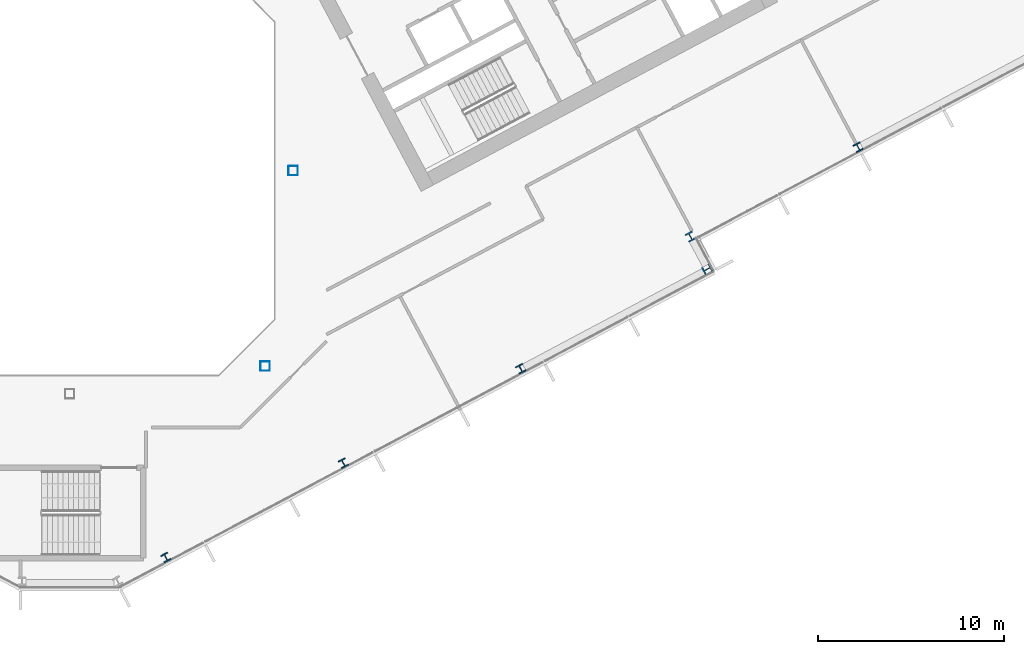
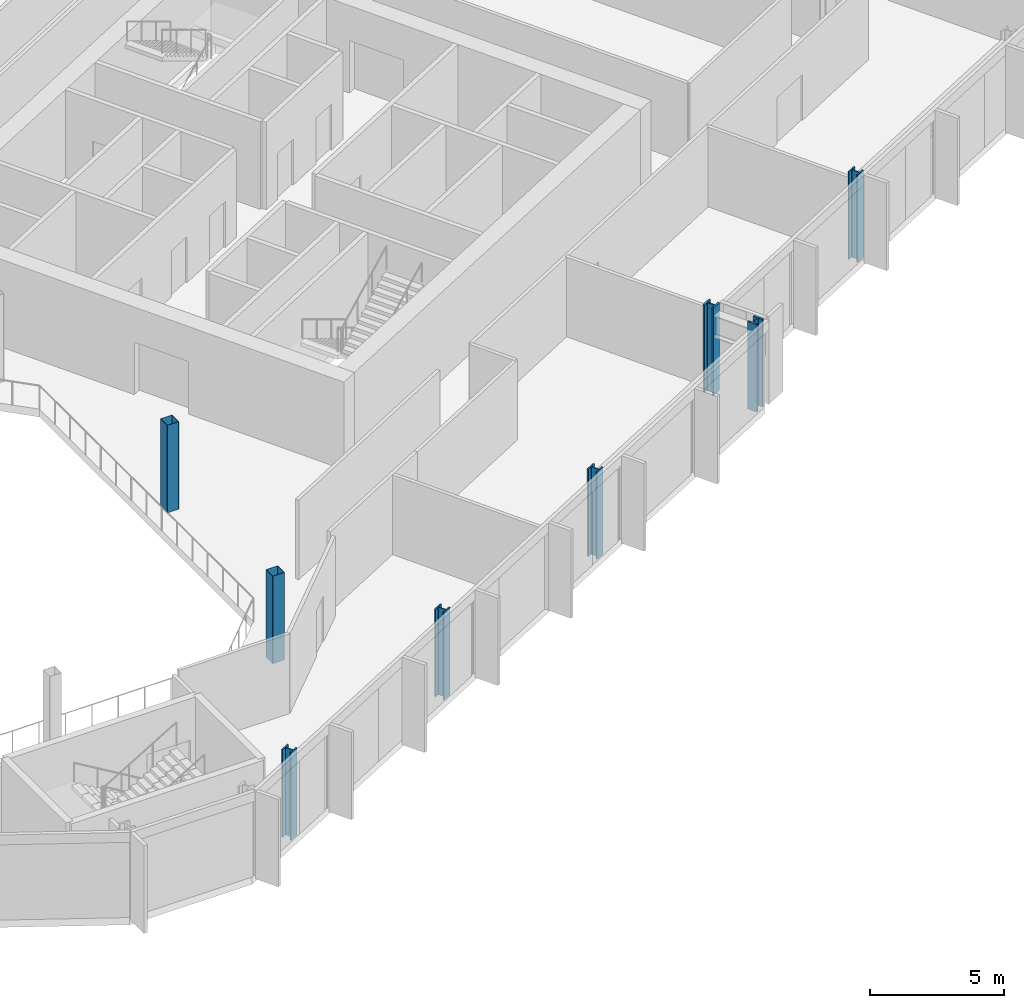
# One storey, part 5 of 28: 8 columns.
"""IFC4 building model written with IfcOpenShell, lengths in metres."""

from ifc_helpers import new_model, si_unit, direction, frame, origin, origin_2d, place, context, subcontext, project, spatial, hollow_rectangle, i_section, extrude, material, material_profile, profile_set, type_object, element, save


model = new_model("IFC4")

# Units and contexts
model_context = context("Model", 3, precision=1e-05, world=origin(), true_north=direction((0.0, 1.0)))
body_context = subcontext(model_context, "Body", "Model", "MODEL_VIEW")
ifc_project = project(units=[si_unit("LENGTHUNIT", "METRE"), si_unit("AREAUNIT", "SQUARE_METRE"), si_unit("VOLUMEUNIT", "CUBIC_METRE"), si_unit("PLANEANGLEUNIT", "RADIAN"), si_unit("MASSUNIT", "GRAM", prefix="KILO")], contexts=[model_context])

# Site, building, storey
site_placement = place(None, origin())
site = spatial("IfcSite", under=ifc_project, at=site_placement, CompositionType="ELEMENT")
building_placement = place(site_placement, origin())
building = spatial("IfcBuilding", under=site, at=building_placement, Name="Cormorant Relay Tower", CompositionType="ELEMENT")
storey_placement = place(building_placement, frame((0.0, 0.0, 138.199951171875)))
storey = spatial("IfcBuildingStorey", under=building, at=storey_placement, Name="L28", CompositionType="ELEMENT", Elevation=138.199951171875)

# Columns
ifc_material_1 = material(Name="Steel ASTM A500 Grade C (Fy 345 MPa)", Category="steel")
ifc_material_profile_1 = material_profile(ifc_material_1, hollow_rectangle(XDim=0.508056640625, YDim=0.508056640625, WallThickness=0.01171875, InnerFilletRadius=0.005859375, OuterFilletRadius=0.017822265625, at=origin_2d()), Name="HSS508x508x12")
ifc_profile_set_1 = profile_set([ifc_material_profile_1], Name="Steel ASTM A500 Grade C (Fy 345 MPa)")
column_type_1 = type_object("IfcColumnType", Name="Column HSS508x508x12", PredefinedType="COLUMN", material=ifc_profile_set_1)
for number, where, z_axis, x_axis, name in (
    (1, (10.5, -10.5, 0.0), (0.0, 0.0, 1.0), (1.0, 0.0, 0.0), "Column L28-010"),
    (2, (12.0, 0.0, 0.0), (0.0, 0.0, 1.0), (1.0, 0.0, 0.0), "Column L28-016"),
):
    element("IfcColumn", number, at=place(storey_placement, frame(where, z_axis=z_axis, x_axis=x_axis)), inside=storey, type_object=column_type_1, Name=name, PredefinedType="COLUMN", context=body_context, shape_type="SweptSolid", body=[
        extrude(hollow_rectangle(XDim=0.508056640625, YDim=0.508056640625, WallThickness=0.01171875, InnerFilletRadius=0.005859375, OuterFilletRadius=0.017822265625, at=origin_2d()), origin(), (0.0, 0.0, 1.0), 4.0),
    ])
ifc_material_2 = material(Name="Steel ASTM A992 (Fy 345 MPa)", Category="steel")
ifc_material_profile_2 = material_profile(ifc_material_2, i_section(OverallWidth=0.41162109375, OverallDepth=0.434326171875, WebThickness=0.035888671875, FlangeThickness=0.057373046875, FilletRadius=0.01513671875, at=origin_2d()), Name="W360x463")
ifc_profile_set_2 = profile_set([ifc_material_profile_2], Name="Steel ASTM A992 (Fy 345 MPa)")
column_type_2 = type_object("IfcColumnType", Name="Column W360x463", PredefinedType="COLUMN", material=ifc_profile_set_2)
for number, where, z_axis, x_axis, name in (
    (3, (5.1640625, -20.7890625, 0.0), (0.0, 0.0, 1.0), (0.882947592859, 0.469471562786, 0.0), "Column L28-003"),
    (4, (14.699951171875, -15.718994140625, 0.0), (0.0, 0.0, 1.0), (0.882947592859, 0.469471562786, 0.0), "Column L28-005"),
    (5, (24.236083984375, -10.64794921875, 0.0), (0.0, 0.0, 1.0), (0.882947592859, 0.469471562786, 0.0), "Column L28-008"),
    (6, (42.368896484375, 1.258056640625, 0.0), (0.0, 0.0, 1.0), (0.882947592859, 0.469471562786, 0.0), "Column L28-017"),
):
    element("IfcColumn", number, at=place(storey_placement, frame(where, z_axis=z_axis, x_axis=x_axis)), inside=storey, type_object=column_type_2, Name=name, PredefinedType="COLUMN", context=body_context, shape_type="SweptSolid", body=[
        extrude(i_section(OverallWidth=0.41162109375, OverallDepth=0.434326171875, WebThickness=0.035888671875, FlangeThickness=0.057373046875, FilletRadius=0.01513671875, at=origin_2d()), origin(), (0.0, 0.0, 1.0), 4.0),
    ])
ifc_material_3 = material(Name="Steel ASTM A992 (Fy 345 MPa)", Category="steel")
ifc_material_profile_3 = material_profile(ifc_material_3, i_section(OverallWidth=0.42431640625, OverallDepth=0.47509765625, WebThickness=0.0478515625, FlangeThickness=0.0771484375, FilletRadius=0.014892578125, at=origin_2d()), Name="W360x634")
ifc_profile_set_3 = profile_set([ifc_material_profile_3], Name="Steel ASTM A992 (Fy 345 MPa)")
column_type_3 = type_object("IfcColumnType", Name="Column W360x634", PredefinedType="COLUMN", material=ifc_profile_set_3)
for number, where, z_axis, x_axis, name in (
    (7, (34.256103515625, -5.297119140625, 0.0), (0.0, 0.0, 1.0), (-0.469471562786, 0.882947592859, 0.0), "Column L28-012"),
    (8, (33.35595703125, -3.54296875, 0.0), (0.0, 0.0, 1.0), (0.882947592859, 0.469471562786, 0.0), "Column L28-014"),
):
    element("IfcColumn", number, at=place(storey_placement, frame(where, z_axis=z_axis, x_axis=x_axis)), inside=storey, type_object=column_type_3, Name=name, PredefinedType="COLUMN", context=body_context, shape_type="SweptSolid", body=[
        extrude(i_section(OverallWidth=0.42431640625, OverallDepth=0.47509765625, WebThickness=0.0478515625, FlangeThickness=0.0771484375, FilletRadius=0.014892578125, at=origin_2d()), origin(), (0.0, 0.0, 1.0), 4.0),
    ])

save(model, "model.ifc")
